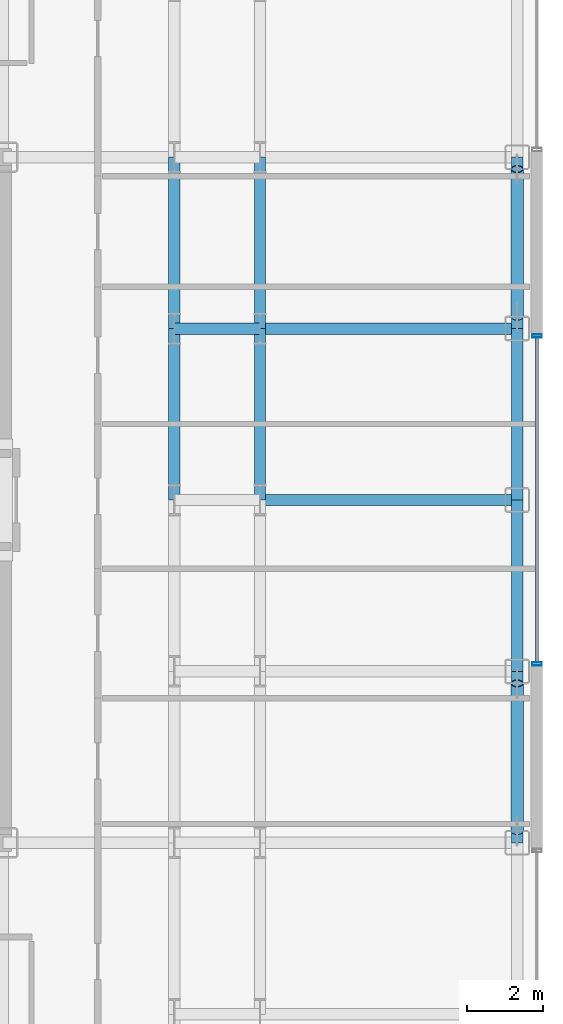
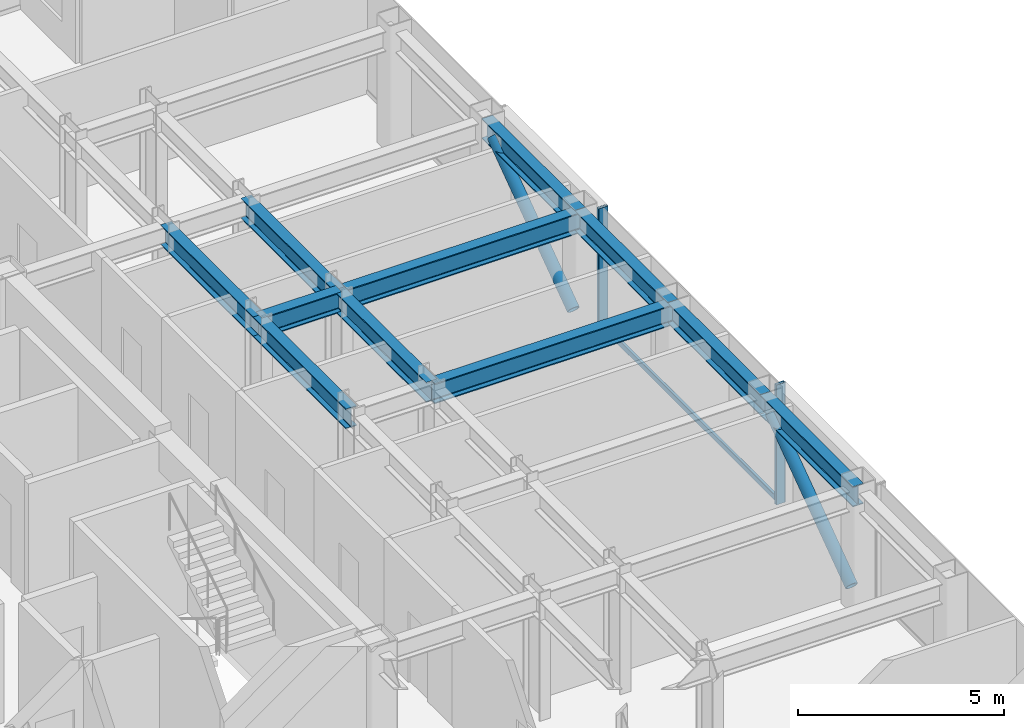
# One storey, part 8 of 21: 11 beams, 5 members, 1 element without a shape of its own.
"""IFC4 building model written with IfcOpenShell, lengths in metres."""

from ifc_helpers import new_model, si_unit, direction, frame, origin, origin_2d, place, context, subcontext, project, spatial, hollow_rectangle, hollow_circle, i_section, extrude, source, transform, mapped, material, layer, layer_set, material_profile, profile_set, type_object, element, aggregate, save


model = new_model("IFC4")

# Units and contexts
model_context = context("Model", 3, precision=1e-05, world=origin(), true_north=direction((0.0, 1.0)))
body_context = subcontext(model_context, "Body", "Model", "MODEL_VIEW")
ifc_project = project(units=[si_unit("LENGTHUNIT", "METRE"), si_unit("AREAUNIT", "SQUARE_METRE"), si_unit("VOLUMEUNIT", "CUBIC_METRE"), si_unit("PLANEANGLEUNIT", "RADIAN"), si_unit("MASSUNIT", "GRAM", prefix="KILO")], contexts=[model_context])

# Site, building, storey
site_placement = place(None, origin())
site = spatial("IfcSite", under=ifc_project, at=site_placement, CompositionType="ELEMENT")
building_placement = place(site_placement, origin())
building = spatial("IfcBuilding", under=site, at=building_placement, Name="Nefas-Gora Pilgrimage Tower", CompositionType="ELEMENT")
storey_placement = place(building_placement, frame((0.0, 0.0, 252.199951171875)))
storey = spatial("IfcBuildingStorey", under=building, at=storey_placement, Name="L63", CompositionType="ELEMENT", Elevation=252.199951171875)

# Beams
ifc_material_1 = material(Name="Steel S355", Category="steel")
ifc_material_profile_1 = material_profile(ifc_material_1, i_section(OverallWidth=0.300048828125, OverallDepth=0.60009765625, WebThickness=0.015380859375, FlangeThickness=0.030029296875, FilletRadius=0.027099609375, at=origin_2d()), Name="HEB 600")
ifc_profile_set_1 = profile_set([ifc_material_profile_1], Name="Steel S355")
beam_type_1 = type_object("IfcBeamType", Name="BM-SPN-HEB450", PredefinedType="SPANDREL", material=ifc_profile_set_1)
shared_shape_1 = source(origin(), body_context, "Body", "SweptSolid", [
    extrude(i_section(OverallWidth=0.300048828125, OverallDepth=0.60009765625, WebThickness=0.015380859375, FlangeThickness=0.030029296875, FilletRadius=0.027099609375, at=origin_2d()), origin(), (0.0, 0.0, 1.0), 4.5),
])
for number, where, z_axis, x_axis, name in (
    (1, (24.75, -9.0, 3.25), (0.0, 1.0, 0.0), (-1.0, 0.0, 0.0), "L63 SP-03 beam"),
    (2, (24.75, -4.5, 3.25), (0.0, 1.0, 0.0), (-1.0, 0.0, 0.0), "L63 SP-03 beam"),
    (3, (24.75, 0.0, 3.25), (0.0, 1.0, 0.0), (-1.0, 0.0, 0.0), "L63 SP-03 beam"),
    (4, (24.75, 4.5, 3.25), (0.0, 1.0, 0.0), (-1.0, 0.0, 0.0), "L63 SP-03 beam"),
):
    element("IfcBeam", number, at=place(storey_placement, frame(where, z_axis=z_axis, x_axis=x_axis)), inside=storey, type_object=beam_type_1, Name=name, PredefinedType="SPANDREL", context=body_context, shape_type="MappedRepresentation", body=[
        mapped(shared_shape_1, transform((0.0, 0.0, 0.0), x_axis=(1.0, 0.0, 0.0), y_axis=(0.0, 1.0, 0.0), z_axis=(0.0, 0.0, 1.0), scale=1.0)),
    ])
ifc_material_profile_2 = material_profile(ifc_material_1, i_section(OverallWidth=0.300048828125, OverallDepth=0.60009765625, WebThickness=0.015380859375, FlangeThickness=0.030029296875, FilletRadius=0.027099609375, at=origin_2d()), Name="HEB 600")
ifc_profile_set_2 = profile_set([ifc_material_profile_2], Name="Steel S355")
beam_type_2 = type_object("IfcBeamType", Name="BM-GIR-HEB600", PredefinedType="BEAM", material=ifc_profile_set_2)
shared_shape_2 = source(origin(), body_context, "Body", "SweptSolid", [
    extrude(i_section(OverallWidth=0.300048828125, OverallDepth=0.60009765625, WebThickness=0.015380859375, FlangeThickness=0.030029296875, FilletRadius=0.027099609375, at=origin_2d()), origin(), (0.0, 0.0, 1.0), 4.5),
])
for number, where, z_axis, x_axis, name in (
    (5, (15.75, 0.0, 3.25), (0.0, 1.0, 0.0), (-1.0, 0.0, 0.0), "L63 G-04 beam"),
    (6, (15.75, 4.5, 3.25), (0.0, 1.0, 0.0), (-1.0, 0.0, 0.0), "L63 G-04 beam"),
    (7, (18.0, 0.0, 3.25), (0.0, 1.0, 0.0), (-1.0, 0.0, 0.0), "L63 G-04 beam"),
    (8, (18.0, 4.5, 3.25), (0.0, 1.0, 0.0), (-1.0, 0.0, 0.0), "L63 G-04 beam"),
):
    element("IfcBeam", number, at=place(storey_placement, frame(where, z_axis=z_axis, x_axis=x_axis)), inside=storey, type_object=beam_type_2, Name=name, PredefinedType="BEAM", context=body_context, shape_type="MappedRepresentation", body=[
        mapped(shared_shape_2, transform((0.0, 0.0, 0.0), x_axis=(1.0, 0.0, 0.0), y_axis=(0.0, 1.0, 0.0), z_axis=(0.0, 0.0, 1.0), scale=1.0)),
    ])
shared_shape_3 = source(origin(), body_context, "Body", "SweptSolid", [
    extrude(i_section(OverallWidth=0.300048828125, OverallDepth=0.60009765625, WebThickness=0.015380859375, FlangeThickness=0.030029296875, FilletRadius=0.027099609375, at=origin_2d()), origin(), (0.0, 0.0, 1.0), 6.75),
])
for number, where, z_axis, x_axis, name in (
    (9, (18.0, 0.0, 3.25), (1.0, 0.0, 0.0), (0.0, 1.0, 0.0), "L63 G-04 beam"),
    (10, (18.0, 4.5, 3.25), (1.0, 0.0, 0.0), (0.0, 1.0, 0.0), "L63 G-04 beam"),
):
    element("IfcBeam", number, at=place(storey_placement, frame(where, z_axis=z_axis, x_axis=x_axis)), inside=storey, type_object=beam_type_2, Name=name, PredefinedType="BEAM", context=body_context, shape_type="MappedRepresentation", body=[
        mapped(shared_shape_3, transform((0.0, 0.0, 0.0), x_axis=(1.0, 0.0, 0.0), y_axis=(0.0, 1.0, 0.0), z_axis=(0.0, 0.0, 1.0), scale=1.0)),
    ])
shared_shape_4 = source(origin(), body_context, "Body", "SweptSolid", [
    extrude(i_section(OverallWidth=0.300048828125, OverallDepth=0.60009765625, WebThickness=0.015380859375, FlangeThickness=0.030029296875, FilletRadius=0.027099609375, at=origin_2d()), origin(), (0.0, 0.0, 1.0), 2.25),
])
beam_placement = place(storey_placement, frame((15.75, 4.5, 3.25), z_axis=(1.0, 0.0, 0.0), x_axis=(0.0, 1.0, 0.0)))
element("IfcBeam", 11, at=beam_placement, inside=storey, type_object=beam_type_2, Name="L63 G-04 beam", PredefinedType="BEAM", context=body_context, shape_type="MappedRepresentation", body=[
    mapped(shared_shape_4, transform((0.0, 0.0, 0.0), x_axis=(1.0, 0.0, 0.0), y_axis=(0.0, 1.0, 0.0), z_axis=(0.0, 0.0, 1.0), scale=1.0)),
])

# Members
ifc_material_profile_3 = material_profile(ifc_material_1, hollow_circle(Radius=0.161865234375, WallThickness=0.02001953125, at=origin_2d()), Name="CHS 323.9x20")
ifc_profile_set_3 = profile_set([ifc_material_profile_3], Name="Steel S355")
member_type_1 = type_object("IfcMemberType", Name="MEM-TUBE-324", PredefinedType="BRACE", material=ifc_profile_set_3)
shared_shape_5 = source(origin(), body_context, "Body", "SweptSolid", [
    extrude(hollow_circle(Radius=0.161865234375, WallThickness=0.02001953125, at=origin_2d()), origin(), (0.0, 0.0, 1.0), 4.763671875),
])
for number, where, z_axis, x_axis, name in (
    (12, (24.75, -8.68701171875, 0.3740234375), (0.0, 0.813255312614, 0.581907034246), (-1.0, 0.0, 0.0), "L63 Perimeter Tube Diagonal Brace E1"),
    (13, (24.75, 4.81298828125, 0.3740234375), (0.0, 0.813255312614, 0.581907034246), (-1.0, 0.0, 0.0), "L63 Perimeter Tube Diagonal Brace E2"),
):
    element("IfcMember", number, at=place(storey_placement, frame(where, z_axis=z_axis, x_axis=x_axis)), inside=storey, type_object=member_type_1, Name=name, PredefinedType="BRACE", context=body_context, shape_type="MappedRepresentation", body=[
        mapped(shared_shape_5, transform((0.0, 0.0, 0.0), x_axis=(1.0, 0.0, 0.0), y_axis=(0.0, 1.0, 0.0), z_axis=(0.0, 0.0, 1.0), scale=1.0)),
    ])

# Curtain wall, members
ifc_material_2 = material(Name="Dark ceramic-fritted solar-control aluminium-glass curtain wall", Category="aluminium")
ifc_layer = layer(ifc_material_2, 0.219970703125)
ifc_layer_set = layer_set([ifc_layer], Name="Dark ceramic-fritted solar-control aluminium-glass curtain wall")
curtain_wall_type = type_object("IfcCurtainWallType", Name="CW-SYS-3", PredefinedType="NOTDEFINED", material=ifc_layer_set)
curtain_wall_placement = place(storey_placement, origin())
curtain_wall = element("IfcCurtainWall", 14, at=curtain_wall_placement, inside=storey, type_object=curtain_wall_type, Name="L63 Unitised Curtain Wall CW3", PredefinedType="NOTDEFINED")
ifc_material_3 = material(Name="Anodised architectural aluminium", Category="aluminium")
ifc_material_profile_4 = material_profile(ifc_material_3, hollow_rectangle(XDim=0.090087890625, YDim=0.260009765625, WallThickness=0.006103515625, InnerFilletRadius=0.006103515625, OuterFilletRadius=0.011962890625, at=origin_2d()), Name="ALU MULLION 90x260")
ifc_profile_set_4 = profile_set([ifc_material_profile_4], Name="Anodised architectural aluminium")
member_type_2 = type_object("IfcMemberType", Name="CWM-MUL-3", PredefinedType="MULLION", material=ifc_profile_set_4)
shared_shape_6 = source(origin(), body_context, "Body", "SweptSolid", [
    extrude(hollow_rectangle(XDim=0.090087890625, YDim=0.260009765625, WallThickness=0.006103515625, InnerFilletRadius=0.006103515625, OuterFilletRadius=0.011962890625, at=origin_2d()), origin(), (0.0, 0.0, 1.0), 3.550048828125),
])
member_1_placement = place(storey_placement, frame((25.27001953125, -4.304931640625, 0.0), z_axis=(0.0, 0.0, 1.0), x_axis=(0.0, 1.0, 0.0)))
member_1 = element("IfcMember", 15, at=member_1_placement, type_object=member_type_2, Name="CW3 Mullion 1", PredefinedType="MULLION", context=body_context, shape_type="MappedRepresentation", body=[
    mapped(shared_shape_6, transform((0.0, 0.0, 0.0), x_axis=(1.0, 0.0, 0.0), y_axis=(0.0, 1.0, 0.0), z_axis=(0.0, 0.0, 1.0), scale=1.0)),
])
member_2_placement = place(storey_placement, frame((25.27001953125, 4.304931640625, 0.0), z_axis=(0.0, 0.0, 1.0), x_axis=(0.0, 1.0, 0.0)))
member_2 = element("IfcMember", 16, at=member_2_placement, type_object=member_type_2, Name="CW3 Mullion 2", PredefinedType="MULLION", context=body_context, shape_type="MappedRepresentation", body=[
    mapped(shared_shape_6, transform((0.0, 0.0, 0.0), x_axis=(1.0, 0.0, 0.0), y_axis=(0.0, 1.0, 0.0), z_axis=(0.0, 0.0, 1.0), scale=1.0)),
])
ifc_material_profile_5 = material_profile(ifc_material_3, hollow_rectangle(XDim=0.080078125, YDim=0.159912109375, WallThickness=0.00439453125, InnerFilletRadius=0.00439453125, OuterFilletRadius=0.009033203125, at=origin_2d()), Name="ALU TRANSOM 80x160")
ifc_profile_set_5 = profile_set([ifc_material_profile_5], Name="Anodised architectural aluminium")
member_type_3 = type_object("IfcMemberType", Name="CWM-TRN-3", PredefinedType="USERDEFINED", material=ifc_profile_set_5)
shared_shape_7 = source(origin(), body_context, "Body", "SweptSolid", [
    extrude(hollow_rectangle(XDim=0.080078125, YDim=0.159912109375, WallThickness=0.00439453125, InnerFilletRadius=0.00439453125, OuterFilletRadius=0.009033203125, at=origin_2d()), origin(), (0.0, 0.0, 1.0), 8.52001953125),
])
member_3_placement = place(storey_placement, frame((25.27001953125, -4.260009765625, 0.050048828125), z_axis=(0.0, 1.0, 0.0), x_axis=(-1.0, 0.0, 0.0)))
member_3 = element("IfcMember", 17, at=member_3_placement, type_object=member_type_3, Name="CW3 Spandrel Transom", ObjectType="TRANSOM", PredefinedType="USERDEFINED", context=body_context, shape_type="MappedRepresentation", body=[
    mapped(shared_shape_7, transform((0.0, 0.0, 0.0), x_axis=(1.0, 0.0, 0.0), y_axis=(0.0, 1.0, 0.0), z_axis=(0.0, 0.0, 1.0), scale=1.0)),
])
aggregate(curtain_wall, [member_1, member_2, member_3])

save(model, "model.ifc")
